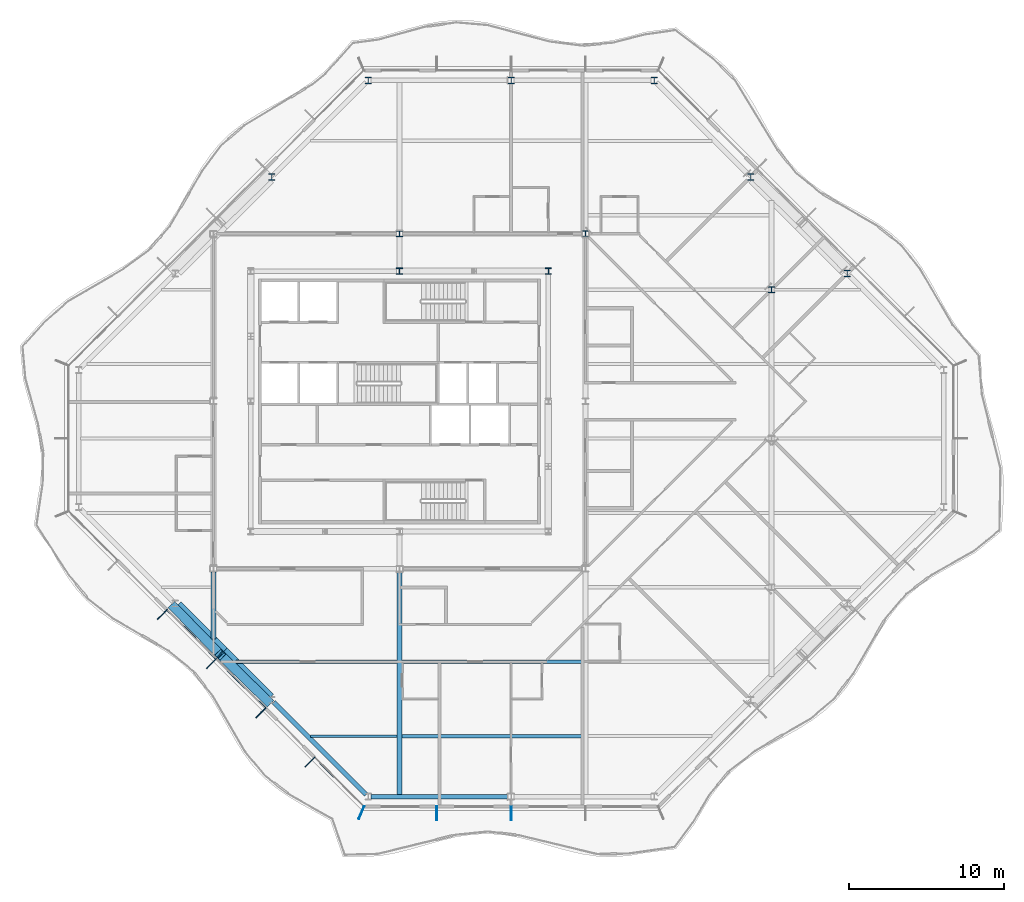
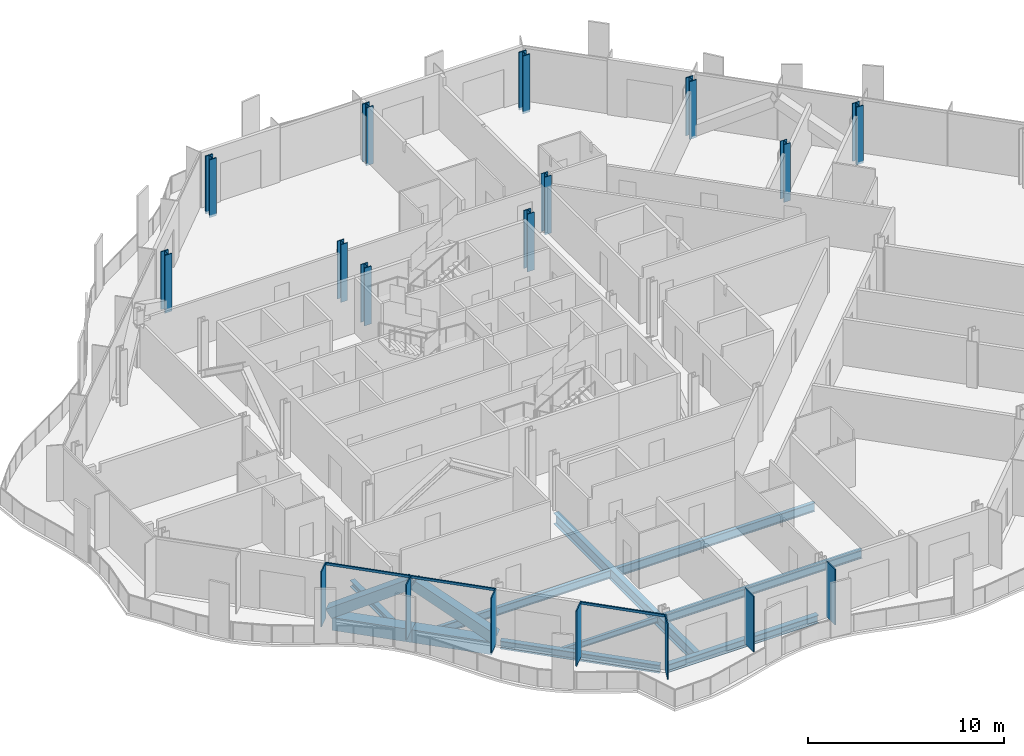
# One storey, part 2 of 17: 12 members, 11 columns, 10 beams, 2 elements without a shape of their own.
"""IFC4 building model written with IfcOpenShell, lengths in metres."""

from ifc_helpers import new_model, si_unit, direction, frame, origin, origin_2d, place, context, subcontext, project, spatial, rectangle, hollow_rectangle, i_section, extrude, material, material_profile, profile_set, type_object, element, aggregate, save


model = new_model("IFC4")

# Units and contexts
model_context = context("Model", 3, precision=1e-05, world=origin(), true_north=direction((0.0, 1.0)))
body_context = subcontext(model_context, "Body", "Model", "MODEL_VIEW")
ifc_project = project(units=[si_unit("LENGTHUNIT", "METRE"), si_unit("AREAUNIT", "SQUARE_METRE"), si_unit("VOLUMEUNIT", "CUBIC_METRE"), si_unit("PLANEANGLEUNIT", "RADIAN"), si_unit("MASSUNIT", "GRAM", prefix="KILO")], contexts=[model_context])

# Site, building, storey
site_placement = place(None, origin())
site = spatial("IfcSite", under=ifc_project, at=site_placement, CompositionType="ELEMENT")
building_placement = place(site_placement, origin())
building = spatial("IfcBuilding", under=site, at=building_placement, Name="Cairn Pilgrim Tower", CompositionType="ELEMENT")
storey_placement = place(building_placement, frame((0.0, 0.0, 228.60009765625)))
storey = spatial("IfcBuildingStorey", under=building, at=storey_placement, Name="L58", CompositionType="ELEMENT", Elevation=228.60009765625)

# Columns
ifc_material_1 = material(Name="Structural steel S355J2", Category="steel")
ifc_material_profile_1 = material_profile(ifc_material_1, i_section(OverallWidth=0.39892578125, OverallDepth=0.39306640625, WebThickness=0.022705078125, FlangeThickness=0.03662109375, FilletRadius=0.014892578125, at=origin_2d()), Name="HD 400x287")
ifc_profile_set_1 = profile_set([ifc_material_profile_1], Name="Structural steel S355J2")
column_type_1 = type_object("IfcColumnType", Name="HD 400x287", PredefinedType="COLUMN", material=ifc_profile_set_1)
for number, where, z_axis, x_axis, name in (
    (1, (7.199951171875, 13.199951171875, -0.150146484375), (0.0, 0.0, 1.0), (1.0, 0.0, 0.0), "IC-7"),
    (2, (19.199951171875, 13.199951171875, -0.150146484375), (0.0, 0.0, 1.0), (1.0, 0.0, 0.0), "IC-8"),
    (3, (31.199951171875, 9.60009765625, -0.150146484375), (0.0, 0.0, 1.0), (1.0, 0.0, 0.0), "WC-WE+2"),
):
    element("IfcColumn", number, at=place(storey_placement, frame(where, z_axis=z_axis, x_axis=x_axis)), inside=storey, type_object=column_type_1, Name=name, PredefinedType="COLUMN", context=body_context, shape_type="SweptSolid", body=[
        extrude(i_section(OverallWidth=0.39892578125, OverallDepth=0.39306640625, WebThickness=0.022705078125, FlangeThickness=0.03662109375, FilletRadius=0.014892578125, at=origin_2d()), origin(), (0.0, 0.0, 1.0), 3.60009765625),
    ])
ifc_material_2 = material(Name="Structural steel S460M", Category="steel")
ifc_material_profile_2 = material_profile(ifc_material_2, i_section(OverallWidth=0.404052734375, OverallDepth=0.406982421875, WebThickness=0.027099609375, FlangeThickness=0.043701171875, FilletRadius=0.014892578125, at=origin_2d()), Name="HD 400x347")
ifc_profile_set_2 = profile_set([ifc_material_profile_2], Name="Structural steel S460M")
column_type_2 = type_object("IfcColumnType", Name="HD 400x347", PredefinedType="COLUMN", material=ifc_profile_set_2)
for number, where, z_axis, x_axis, name in (
    (4, (7.199951171875, 10.800048828125, -0.150146484375), (0.0, 0.0, 1.0), (1.0, 0.0, 0.0), "KC-7"),
    (5, (16.800048828125, 10.800048828125, -0.150146484375), (0.0, 0.0, 1.0), (1.0, 0.0, 0.0), "KC-8"),
):
    element("IfcColumn", number, at=place(storey_placement, frame(where, z_axis=z_axis, x_axis=x_axis)), inside=storey, type_object=column_type_2, Name=name, PredefinedType="COLUMN", context=body_context, shape_type="SweptSolid", body=[
        extrude(i_section(OverallWidth=0.404052734375, OverallDepth=0.406982421875, WebThickness=0.027099609375, FlangeThickness=0.043701171875, FilletRadius=0.014892578125, at=origin_2d()), origin(), (0.0, 0.0, 1.0), 3.60009765625),
    ])
ifc_material_profile_3 = material_profile(ifc_material_2, i_section(OverallWidth=0.416015625, OverallDepth=0.446044921875, WebThickness=0.0390625, FlangeThickness=0.062744140625, FilletRadius=0.014892578125, at=origin_2d()), Name="HD 400x509")
ifc_profile_set_3 = profile_set([ifc_material_profile_3], Name="Structural steel S460M")
column_type_3 = type_object("IfcColumnType", Name="HD 400x509", PredefinedType="COLUMN", material=ifc_profile_set_3)
for number, where, z_axis, x_axis, name in (
    (6, (36.07568359375, 10.651611328125, -0.150146484375), (0.0, 0.0, 1.0), (1.0, 0.0, 0.0), "PC3-NE2"),
    (7, (29.8515625, 16.875732421875, -0.150146484375), (0.0, 0.0, 1.0), (1.0, 0.0, 0.0), "PC3-NE3"),
    (8, (23.627197265625, 23.10009765625, -0.150146484375), (0.0, 0.0, 1.0), (1.0, 0.0, 0.0), "PC3-N1"),
    (9, (14.39990234375, 23.10009765625, -0.150146484375), (0.0, 0.0, 1.0), (1.0, 0.0, 0.0), "PC3-N2"),
    (10, (5.1728515625, 23.10009765625, -0.150146484375), (0.0, 0.0, 1.0), (1.0, 0.0, 0.0), "PC3-NW1"),
    (11, (-1.051513671875, 16.875732421875, -0.150146484375), (0.0, 0.0, 1.0), (1.0, 0.0, 0.0), "PC3-NW2"),
):
    element("IfcColumn", number, at=place(storey_placement, frame(where, z_axis=z_axis, x_axis=x_axis)), inside=storey, type_object=column_type_3, Name=name, PredefinedType="COLUMN", context=body_context, shape_type="SweptSolid", body=[
        extrude(i_section(OverallWidth=0.416015625, OverallDepth=0.446044921875, WebThickness=0.0390625, FlangeThickness=0.062744140625, FilletRadius=0.014892578125, at=origin_2d()), origin(), (0.0, 0.0, 1.0), 3.60009765625),
    ])

# Members
ifc_material_profile_4 = material_profile(ifc_material_2, hollow_rectangle(XDim=0.60009765625, YDim=0.60009765625, WallThickness=0.034912109375, at=origin_2d()), Name="BOX 600x600x35")
ifc_profile_set_4 = profile_set([ifc_material_profile_4], Name="Structural steel S460M")
member_type_1 = type_object("IfcMemberType", Name="BOX 600x600x35 BRACE", PredefinedType="BRACE", material=ifc_profile_set_4)
member_1_placement = place(storey_placement, frame((-7.4013671875, -10.823974609375, 0.14990234375), z_axis=(0.59476326853, -0.609993709431, 0.523607036681), x_axis=(0.715988756584, 0.698111810848, 0.0)))
element("IfcMember", 12, at=member_1_placement, inside=storey, type_object=member_type_1, Name="XB-SW2-SW3-1", PredefinedType="BRACE", context=body_context, shape_type="SweptSolid", body=[
    extrude(hollow_rectangle(XDim=0.60009765625, YDim=0.60009765625, WallThickness=0.034912109375, at=origin_2d()), origin(), (0.0, 0.0, 1.0), 5.033447265625),
])
member_2_placement = place(storey_placement, frame((-1.22412109375, -17.00146484375, 0.14990234375), z_axis=(-0.609963251675, 0.594780866166, 0.523622528973), x_axis=(-0.698140268834, -0.71596100804, 0.0)))
element("IfcMember", 13, at=member_2_placement, inside=storey, type_object=member_type_1, Name="XB-SW2-SW3-2", PredefinedType="BRACE", context=body_context, shape_type="SweptSolid", body=[
    extrude(hollow_rectangle(XDim=0.60009765625, YDim=0.60009765625, WallThickness=0.034912109375, at=origin_2d()), origin(), (0.0, 0.0, 1.0), 5.033203125),
])

# Beams
ifc_material_profile_5 = material_profile(ifc_material_1, hollow_rectangle(XDim=0.699951171875, YDim=0.800048828125, WallThickness=0.0400390625, at=origin_2d()), Name="BOX 700x800x40")
ifc_profile_set_5 = profile_set([ifc_material_profile_5], Name="Structural steel S355J2")
beam_type_1 = type_object("IfcBeamType", Name="BOX 700x800x40 RING GIRDER", PredefinedType="SPANDREL", material=ifc_profile_set_5)
beam_1_placement = place(storey_placement, frame((-7.143310546875, -10.78369140625, -0.550048828125), z_axis=(0.707077813866, -0.707135747321, 0.0), x_axis=(0.707135747321, 0.707077813866, 0.0)))
element("IfcBeam", 14, at=beam_1_placement, inside=storey, type_object=beam_type_1, Name="RG3-SW2-SW3-1", PredefinedType="SPANDREL", context=body_context, shape_type="SweptSolid", body=[
    extrude(hollow_rectangle(XDim=0.699951171875, YDim=0.800048828125, WallThickness=0.0400390625, at=origin_2d()), origin(), (0.0, 0.0, 1.0), 4.214111328125),
])
beam_2_placement = place(storey_placement, frame((-4.16357421875, -13.763671875, -0.550048828125), z_axis=(0.707106781187, -0.707106781187, 0.0), x_axis=(0.707106781187, 0.707106781187, 0.0)))
element("IfcBeam", 15, at=beam_2_placement, inside=storey, type_object=beam_type_1, Name="RG3-SW2-SW3-2", PredefinedType="SPANDREL", context=body_context, shape_type="SweptSolid", body=[
    extrude(hollow_rectangle(XDim=0.699951171875, YDim=0.800048828125, WallThickness=0.0400390625, at=origin_2d()), origin(), (0.0, 0.0, 1.0), 4.2138671875),
])

# Curtain wall, members
ifc_material_3 = material(Name="Aluminium alloy 6063-T6 bronze anodised with Bronze tinted laminated low-E glass 8+16+8.8", Category="aluminium")
curtain_wall_type_1 = type_object("IfcCurtainWallType", Name="TOWER STICK CURTAIN WALL NS", PredefinedType="NOTDEFINED", material=ifc_material_3)
curtain_wall_1_placement = place(storey_placement, origin())
curtain_wall_1 = element("IfcCurtainWall", 16, at=curtain_wall_1_placement, inside=storey, type_object=curtain_wall_type_1, Name="Tower Stick Curtain Wall Ns S", PredefinedType="NOTDEFINED")
ifc_material_4 = material(Name="Aluminium alloy 6063-T6 bronze anodised", Category="aluminium")
ifc_material_profile_6 = material_profile(ifc_material_4, rectangle(XDim=0.89990234375, YDim=0.06005859375, at=origin_2d()), Name="FIN MULLION 60x900 BRONZE")
ifc_profile_set_6 = profile_set([ifc_material_profile_6], Name="Aluminium alloy 6063-T6 bronze anodised")
member_type_2 = type_object("IfcMemberType", Name="FIN MULLION 60x900 BRONZE", PredefinedType="MULLION", material=ifc_profile_set_6)
member_3_placement = place(storey_placement, frame((4.742919921875, -24.137939453125, 0.0), z_axis=(0.0, 0.0, 1.0), x_axis=(-0.382683432365, -0.923879532511, 0.0)))
member_3 = element("IfcMember", 17, at=member_3_placement, type_object=member_type_2, Name="Fin mullion S1", PredefinedType="MULLION", context=body_context, shape_type="SweptSolid", body=[
    extrude(rectangle(XDim=0.89990234375, YDim=0.06005859375, at=origin_2d()), origin(), (0.0, 0.0, 1.0), 3.449951171875),
])
member_4_placement = place(storey_placement, frame((9.60009765625, -24.169921875, 0.0), z_axis=(0.0, 0.0, 1.0), x_axis=(0.0, -1.0, 0.0)))
member_4 = element("IfcMember", 18, at=member_4_placement, type_object=member_type_2, Name="Fin mullion S2", PredefinedType="MULLION", context=body_context, shape_type="SweptSolid", body=[
    extrude(rectangle(XDim=0.89990234375, YDim=0.06005859375, at=origin_2d()), origin(), (0.0, 0.0, 1.0), 3.449951171875),
])
member_5_placement = place(storey_placement, frame((14.39990234375, -24.169921875, 0.0), z_axis=(0.0, 0.0, 1.0), x_axis=(0.0, -1.0, 0.0)))
member_5 = element("IfcMember", 19, at=member_5_placement, type_object=member_type_2, Name="Fin mullion S3", PredefinedType="MULLION", context=body_context, shape_type="SweptSolid", body=[
    extrude(rectangle(XDim=0.89990234375, YDim=0.06005859375, at=origin_2d()), origin(), (0.0, 0.0, 1.0), 3.449951171875),
])
aggregate(curtain_wall_1, [member_3, member_4, member_5])

curtain_wall_type_2 = type_object("IfcCurtainWallType", Name="CHAMFER CORNER CURTAIN WALL", PredefinedType="NOTDEFINED", material=ifc_material_3)
curtain_wall_2_placement = place(storey_placement, origin())
curtain_wall_2 = element("IfcCurtainWall", 20, at=curtain_wall_2_placement, inside=storey, type_object=curtain_wall_type_2, Name="Chamfer Corner Curtain Wall SW", PredefinedType="NOTDEFINED")
member_6_placement = place(storey_placement, frame((-8.095703125, -11.3447265625, 0.0), z_axis=(0.0, 0.0, 1.0), x_axis=(-0.707106781187, -0.707106781187, 0.0)))
member_6 = element("IfcMember", 21, at=member_6_placement, type_object=member_type_2, Name="Fin mullion SW3", PredefinedType="MULLION", context=body_context, shape_type="SweptSolid", body=[
    extrude(rectangle(XDim=0.89990234375, YDim=0.06005859375, at=origin_2d()), origin(), (0.0, 0.0, 1.0), 3.449951171875),
])
member_7_placement = place(storey_placement, frame((-4.920166015625, -14.520263671875, 0.0), z_axis=(0.0, 0.0, 1.0), x_axis=(-0.707106781187, -0.707106781187, 0.0)))
member_7 = element("IfcMember", 22, at=member_7_placement, type_object=member_type_2, Name="Fin mullion SW4", PredefinedType="MULLION", context=body_context, shape_type="SweptSolid", body=[
    extrude(rectangle(XDim=0.89990234375, YDim=0.06005859375, at=origin_2d()), origin(), (0.0, 0.0, 1.0), 3.449951171875),
])
member_8_placement = place(storey_placement, frame((-1.74462890625, -17.69580078125, 0.0), z_axis=(0.0, 0.0, 1.0), x_axis=(-0.707106781187, -0.707106781187, 0.0)))
member_8 = element("IfcMember", 23, at=member_8_placement, type_object=member_type_2, Name="Fin mullion SW5", PredefinedType="MULLION", context=body_context, shape_type="SweptSolid", body=[
    extrude(rectangle(XDim=0.89990234375, YDim=0.06005859375, at=origin_2d()), origin(), (0.0, 0.0, 1.0), 3.449951171875),
])
member_9_placement = place(storey_placement, frame((1.430908203125, -20.871337890625, 0.0), z_axis=(0.0, 0.0, 1.0), x_axis=(-0.707106781187, -0.707106781187, 0.0)))
member_9 = element("IfcMember", 24, at=member_9_placement, type_object=member_type_2, Name="Fin mullion SW6", PredefinedType="MULLION", context=body_context, shape_type="SweptSolid", body=[
    extrude(rectangle(XDim=0.89990234375, YDim=0.06005859375, at=origin_2d()), origin(), (0.0, 0.0, 1.0), 3.449951171875),
])

# Beams
ifc_material_profile_7 = material_profile(ifc_material_1, i_section(OverallWidth=0.300048828125, OverallDepth=0.39990234375, WebThickness=0.013427734375, FlangeThickness=0.02392578125, FilletRadius=0.027099609375, at=origin_2d()), Name="HEB 400")
ifc_profile_set_7 = profile_set([ifc_material_profile_7], Name="Structural steel S355J2")
beam_type_2 = type_object("IfcBeamType", Name="HEB 400 GIRDER", PredefinedType="BEAM", material=ifc_profile_set_7)
beam_3_placement = place(storey_placement, frame((-4.800048828125, -12.945068359375, -0.35009765625), z_axis=(0.0, 1.0, 0.0), x_axis=(-1.0, 0.0, 0.0)))
element("IfcBeam", 25, at=beam_3_placement, inside=storey, type_object=beam_type_2, Name="PG2-1", PredefinedType="BEAM", context=body_context, shape_type="SweptSolid", body=[
    extrude(i_section(OverallWidth=0.300048828125, OverallDepth=0.39990234375, WebThickness=0.013427734375, FlangeThickness=0.02392578125, FilletRadius=0.027099609375, at=origin_2d()), origin(), (0.0, 0.0, 1.0), 4.345458984375),
])
ifc_material_profile_8 = material_profile(ifc_material_1, i_section(OverallWidth=0.300048828125, OverallDepth=0.5, WebThickness=0.014404296875, FlangeThickness=0.028076171875, FilletRadius=0.027099609375, at=origin_2d()), Name="HEB 500")
ifc_profile_set_8 = profile_set([ifc_material_profile_8], Name="Structural steel S355J2")
beam_type_3 = type_object("IfcBeamType", Name="HEB 500 RING GIRDER", PredefinedType="SPANDREL", material=ifc_profile_set_8)
beam_4_placement = place(storey_placement, frame((5.360107421875, -23.10009765625, -0.400146484375), z_axis=(1.0, 0.0, 0.0), x_axis=(0.0, 1.0, 0.0)))
element("IfcBeam", 26, at=beam_4_placement, inside=storey, type_object=beam_type_3, Name="RG3-S1-S2", PredefinedType="SPANDREL", context=body_context, shape_type="SweptSolid", body=[
    extrude(i_section(OverallWidth=0.300048828125, OverallDepth=0.5, WebThickness=0.014404296875, FlangeThickness=0.028076171875, FilletRadius=0.027099609375, at=origin_2d()), origin(), (0.0, 0.0, 1.0), 8.852783203125),
])
beam_5_placement = place(storey_placement, frame((-0.919189453125, -17.008056640625, -0.400146484375), z_axis=(0.707106781187, -0.707106781187, 0.0), x_axis=(0.707106781187, 0.707106781187, 0.0)))
element("IfcBeam", 27, at=beam_5_placement, inside=storey, type_object=beam_type_3, Name="RG3-SW3-S1", PredefinedType="SPANDREL", context=body_context, shape_type="SweptSolid", body=[
    extrude(i_section(OverallWidth=0.300048828125, OverallDepth=0.5, WebThickness=0.014404296875, FlangeThickness=0.028076171875, FilletRadius=0.027099609375, at=origin_2d()), origin(), (0.0, 0.0, 1.0), 8.427978515625),
])
ifc_material_profile_9 = material_profile(ifc_material_1, i_section(OverallWidth=0.300048828125, OverallDepth=0.699951171875, WebThickness=0.01708984375, FlangeThickness=0.031982421875, FilletRadius=0.027099609375, at=origin_2d()), Name="HEB 700")
ifc_profile_set_9 = profile_set([ifc_material_profile_9], Name="Structural steel S355J2")
beam_type_4 = type_object("IfcBeamType", Name="HEB 700 GIRDER", PredefinedType="BEAM", material=ifc_profile_set_9)
beam_6_placement = place(storey_placement, frame((7.199951171875, -22.97998046875, -0.5), z_axis=(0.0, 1.0, 0.0), x_axis=(-1.0, 0.0, 0.0)))
element("IfcBeam", 28, at=beam_6_placement, inside=storey, type_object=beam_type_4, Name="PG3-1", PredefinedType="BEAM", context=body_context, shape_type="SweptSolid", body=[
    extrude(i_section(OverallWidth=0.300048828125, OverallDepth=0.699951171875, WebThickness=0.01708984375, FlangeThickness=0.031982421875, FilletRadius=0.027099609375, at=origin_2d()), origin(), (0.0, 0.0, 1.0), 14.38037109375),
])
ifc_material_profile_10 = material_profile(ifc_material_1, i_section(OverallWidth=0.169921875, OverallDepth=0.360107421875, WebThickness=0.008056640625, FlangeThickness=0.0126953125, FilletRadius=0.01806640625, at=origin_2d()), Name="IPE 360")
ifc_profile_set_10 = profile_set([ifc_material_profile_10], Name="Structural steel S355J2")
beam_type_5 = type_object("IfcBeamType", Name="IPE 360 SECONDARY BEAM", PredefinedType="JOIST", material=ifc_profile_set_10)
beam_7_placement = place(storey_placement, frame((1.454833984375, -19.199951171875, -0.330078125), z_axis=(1.0, 0.0, 0.0), x_axis=(0.0, 1.0, 0.0)))
element("IfcBeam", 29, at=beam_7_placement, inside=storey, type_object=beam_type_5, Name="SB1-1", PredefinedType="JOIST", context=body_context, shape_type="SweptSolid", body=[
    extrude(i_section(OverallWidth=0.169921875, OverallDepth=0.360107421875, WebThickness=0.008056640625, FlangeThickness=0.0126953125, FilletRadius=0.01806640625, at=origin_2d()), origin(), (0.0, 0.0, 1.0), 5.59521484375),
])
ifc_material_profile_11 = material_profile(ifc_material_1, i_section(OverallWidth=0.199951171875, OverallDepth=0.5, WebThickness=0.01025390625, FlangeThickness=0.01611328125, FilletRadius=0.02099609375, at=origin_2d()), Name="IPE 500")
ifc_profile_set_11 = profile_set([ifc_material_profile_11], Name="Structural steel S355J2")
beam_type_6 = type_object("IfcBeamType", Name="IPE 500 SECONDARY BEAM", PredefinedType="JOIST", material=ifc_profile_set_11)
beam_8_placement = place(storey_placement, frame((-3.34521484375, -14.39990234375, -0.400146484375), z_axis=(1.0, 0.0, 0.0), x_axis=(0.0, 1.0, 0.0)))
element("IfcBeam", 30, at=beam_8_placement, inside=storey, type_object=beam_type_6, Name="SB2-1", PredefinedType="JOIST", context=body_context, shape_type="SweptSolid", body=[
    extrude(i_section(OverallWidth=0.199951171875, OverallDepth=0.5, WebThickness=0.01025390625, FlangeThickness=0.01611328125, FilletRadius=0.02099609375, at=origin_2d()), origin(), (0.0, 0.0, 1.0), 10.395263671875),
])
ifc_material_profile_12 = material_profile(ifc_material_1, i_section(OverallWidth=0.2099609375, OverallDepth=0.550048828125, WebThickness=0.010986328125, FlangeThickness=0.01708984375, FilletRadius=0.02392578125, at=origin_2d()), Name="IPE 550")
ifc_profile_set_12 = profile_set([ifc_material_profile_12], Name="Structural steel S355J2")
beam_type_7 = type_object("IfcBeamType", Name="IPE 550 SECONDARY BEAM", PredefinedType="JOIST", material=ifc_profile_set_12)
for number, where, z_axis, x_axis, name in (
    (31, (7.35009765625, -19.199951171875, -0.425048828125), (1.0, 0.0, 0.0), (0.0, 1.0, 0.0), "SB1-2"),
    (32, (7.35009765625, -14.39990234375, -0.425048828125), (1.0, 0.0, 0.0), (0.0, 1.0, 0.0), "SB2-2"),
):
    element("IfcBeam", number, at=place(storey_placement, frame(where, z_axis=z_axis, x_axis=x_axis)), inside=storey, type_object=beam_type_7, Name=name, PredefinedType="JOIST", context=body_context, shape_type="SweptSolid", body=[
        extrude(i_section(OverallWidth=0.2099609375, OverallDepth=0.550048828125, WebThickness=0.010986328125, FlangeThickness=0.01708984375, FilletRadius=0.02392578125, at=origin_2d()), origin(), (0.0, 0.0, 1.0), 11.699951171875),
    ])

# Member
ifc_material_profile_13 = material_profile(ifc_material_4, rectangle(XDim=0.080078125, YDim=0.14990234375, at=origin_2d()), Name="TRANSOM 80x150 BRONZE")
ifc_profile_set_13 = profile_set([ifc_material_profile_13], Name="Aluminium alloy 6063-T6 bronze anodised")
member_type_3 = type_object("IfcMemberType", Name="TRANSOM 80x150 BRONZE", PredefinedType="USERDEFINED", material=ifc_profile_set_13)
member_10_placement = place(storey_placement, frame((-7.777587890625, -11.06884765625, 3.375), z_axis=(0.707106781187, -0.707106781187, 0.0), x_axis=(0.707106781187, 0.707106781187, 0.0)))
member_10 = element("IfcMember", 33, at=member_10_placement, type_object=member_type_3, Name="Transom SW3", ObjectType="TRANSOM", PredefinedType="USERDEFINED", context=body_context, shape_type="SweptSolid", body=[
    extrude(rectangle(XDim=0.080078125, YDim=0.14990234375, at=origin_2d()), origin(), (0.0, 0.0, 1.0), 4.430908203125),
])

member_11_placement = place(storey_placement, frame((-4.60205078125, -14.244384765625, 3.375), z_axis=(0.707106781187, -0.707106781187, 0.0), x_axis=(0.707106781187, 0.707106781187, 0.0)))
member_11 = element("IfcMember", 34, at=member_11_placement, type_object=member_type_3, Name="Transom SW4", ObjectType="TRANSOM", PredefinedType="USERDEFINED", context=body_context, shape_type="SweptSolid", body=[
    extrude(rectangle(XDim=0.080078125, YDim=0.14990234375, at=origin_2d()), origin(), (0.0, 0.0, 1.0), 4.43115234375),
])

member_12_placement = place(storey_placement, frame((1.749267578125, -20.595703125, 3.375), z_axis=(0.707106781187, -0.707106781187, 0.0), x_axis=(0.707106781187, 0.707106781187, 0.0)))
member_12 = element("IfcMember", 35, at=member_12_placement, type_object=member_type_3, Name="Transom SW6", ObjectType="TRANSOM", PredefinedType="USERDEFINED", context=body_context, shape_type="SweptSolid", body=[
    extrude(rectangle(XDim=0.080078125, YDim=0.14990234375, at=origin_2d()), origin(), (0.0, 0.0, 1.0), 4.4208984375),
])

aggregate(curtain_wall_2, [member_6, member_7, member_8, member_9, member_10, member_11, member_12])

save(model, "model.ifc")
